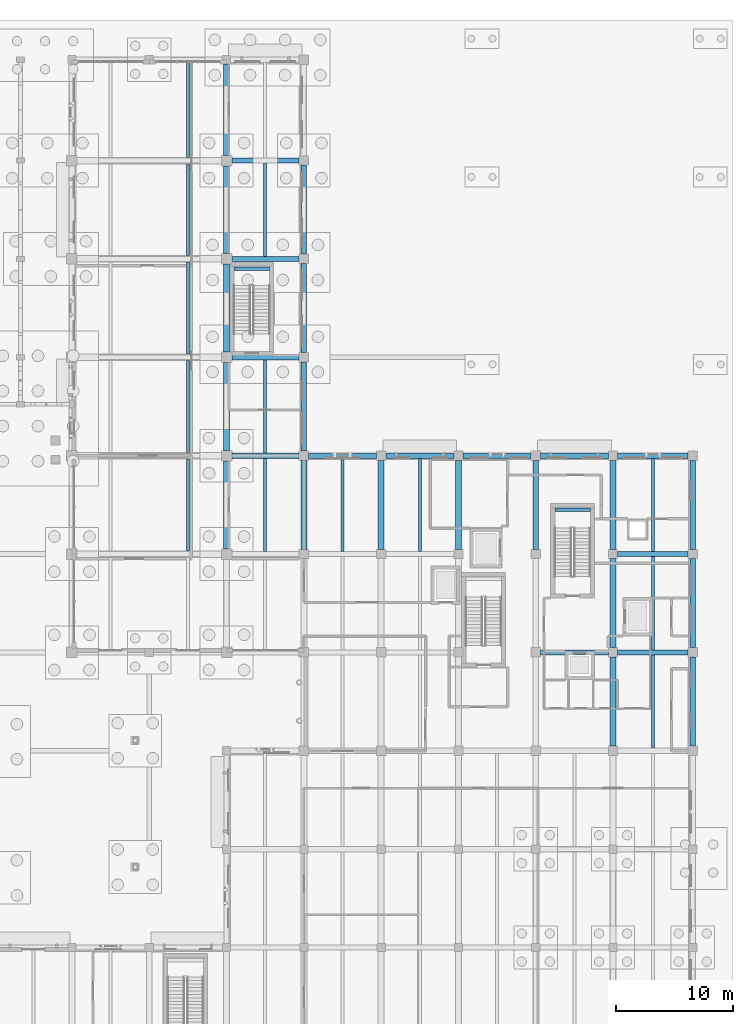
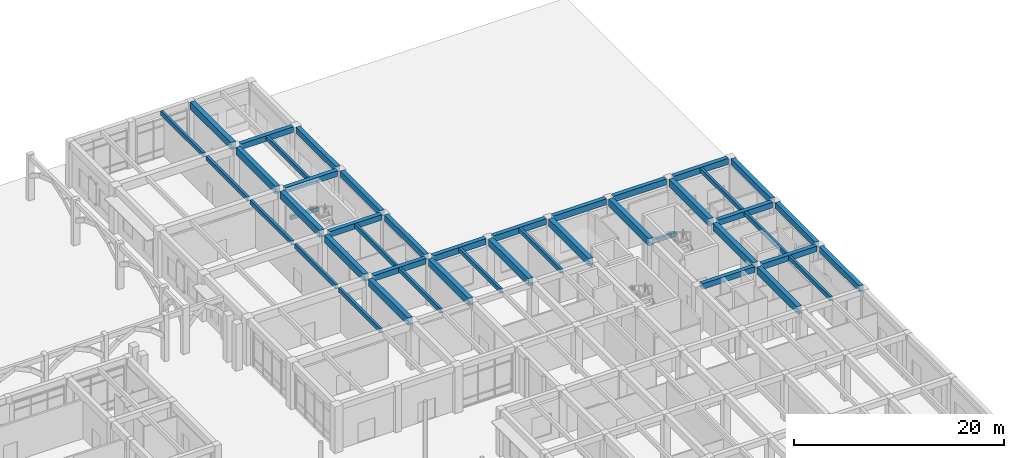
# One storey, part 38 of 82: 45 beams.
"""IFC4 building model written with IfcOpenShell, lengths in metres."""

from ifc_helpers import new_model, si_unit, direction, frame, origin, origin_2d, place, context, subcontext, project, spatial, rectangle, extrude, material, material_profile, profile_set, type_object, element, save


model = new_model("IFC4")

# Units and contexts
model_context = context("Model", 3, precision=1e-05, world=origin(), true_north=direction((0.0, 1.0)))
body_context = subcontext(model_context, "Body", "Model", "MODEL_VIEW")
ifc_project = project(units=[si_unit("LENGTHUNIT", "METRE"), si_unit("AREAUNIT", "SQUARE_METRE"), si_unit("VOLUMEUNIT", "CUBIC_METRE"), si_unit("PLANEANGLEUNIT", "RADIAN"), si_unit("MASSUNIT", "GRAM", prefix="KILO")], contexts=[model_context])

# Site, building, storey
site_placement = place(None, origin())
site = spatial("IfcSite", under=ifc_project, at=site_placement, CompositionType="ELEMENT")
building_placement = place(site_placement, origin())
building = spatial("IfcBuilding", under=site, at=building_placement, Name="Kolvaren Faculty of Natural Sciences", CompositionType="ELEMENT")
storey_placement = place(building_placement, origin())
storey = spatial("IfcBuildingStorey", under=building, at=storey_placement, Name="L00", CompositionType="ELEMENT", Elevation=0.0)

# Beams
ifc_material_1 = material(Name="Concrete C40/50", Category="concrete")
ifc_material_profile_1 = material_profile(ifc_material_1, rectangle(XDim=0.300048828125, YDim=0.449951171875, at=origin_2d()), Name="RC LNT 300x450")
ifc_profile_set_1 = profile_set([ifc_material_profile_1], Name="Concrete C40/50")
beam_type_1 = type_object("IfcBeamType", Name="CoreCouplingLintel_300x450", PredefinedType="LINTEL", material=ifc_profile_set_1)
beam_1_placement = place(storey_placement, frame((160.22509765625, 79.580078125, 2.27490234375), z_axis=(1.0, 0.0, 0.0), x_axis=(0.0, 1.0, 0.0)))
element("IfcBeam", 1, at=beam_1_placement, inside=storey, type_object=beam_type_1, Name="L00 ST-1 half-landing support lintel", PredefinedType="LINTEL", context=body_context, shape_type="SweptSolid", body=[
    extrude(rectangle(XDim=0.300048828125, YDim=0.449951171875, at=origin_2d()), origin(), (0.0, 0.0, 1.0), 3.0498046875),
])
beam_2_placement = place(storey_placement, frame((132.824951171875, 100.179931640625, 2.27490234375), z_axis=(1.0, 0.0, 0.0), x_axis=(0.0, 1.0, 0.0)))
element("IfcBeam", 2, at=beam_2_placement, inside=storey, type_object=beam_type_1, Name="L00 ST-7 half-landing support lintel", PredefinedType="LINTEL", context=body_context, shape_type="SweptSolid", body=[
    extrude(rectangle(XDim=0.300048828125, YDim=0.449951171875, at=origin_2d()), origin(), (0.0, 0.0, 1.0), 3.050048828125),
])
ifc_material_2 = material(Name="Concrete C35/45", Category="concrete")
ifc_material_profile_2 = material_profile(ifc_material_2, rectangle(XDim=0.449951171875, YDim=0.64990234375, at=origin_2d()), Name="RC BM 450x650")
ifc_profile_set_2 = profile_set([ifc_material_profile_2], Name="Concrete C35/45")
beam_type_2 = type_object("IfcBeamType", Name="GridBeam_450x650", PredefinedType="BEAM", material=ifc_profile_set_2)
beam_3_placement = place(storey_placement, frame((159.0, 67.39990234375, 5.074951171875), z_axis=(1.0, 0.0, 0.0), x_axis=(0.0, 1.0, 0.0)))
element("IfcBeam", 3, at=beam_3_placement, inside=storey, type_object=beam_type_2, Name="L00 beam BM-65 on grid J", PredefinedType="BEAM", context=body_context, shape_type="SweptSolid", body=[
    extrude(rectangle(XDim=0.449951171875, YDim=0.64990234375, at=origin_2d()), origin(), (0.0, 0.0, 1.0), 5.800048828125),
])
for number, where, z_axis, x_axis, name in (
    (4, (165.60009765625, 67.39990234375, 5.074951171875), (1.0, 0.0, 0.0), (0.0, 1.0, 0.0), "L00 beam BM-65 on grid J"),
    (5, (165.60009765625, 75.800048828125, 5.074951171875), (1.0, 0.0, 0.0), (0.0, 1.0, 0.0), "L00 beam BM-65 on grid K"),
):
    element("IfcBeam", number, at=place(storey_placement, frame(where, z_axis=z_axis, x_axis=x_axis)), inside=storey, type_object=beam_type_2, Name=name, PredefinedType="BEAM", context=body_context, shape_type="SweptSolid", body=[
        extrude(rectangle(XDim=0.449951171875, YDim=0.64990234375, at=origin_2d()), origin(), (0.0, 0.0, 1.0), 6.0),
    ])
for number, where, z_axis, x_axis, name in (
    (6, (132.64990234375, 84.199951171875, 5.074951171875), (1.0, 0.0, 0.0), (0.0, 1.0, 0.0), "L00 beam BM-65 on grid L"),
    (7, (132.64990234375, 92.60009765625, 5.074951171875), (1.0, 0.0, 0.0), (0.0, 1.0, 0.0), "L00 beam BM-65 on grid M"),
    (8, (132.64990234375, 101.0, 5.074951171875), (1.0, 0.0, 0.0), (0.0, 1.0, 0.0), "L00 beam BM-65 on grid N"),
    (9, (132.64990234375, 109.39990234375, 5.074951171875), (1.0, 0.0, 0.0), (0.0, 1.0, 0.0), "L00 beam BM-65 on grid P"),
):
    element("IfcBeam", number, at=place(storey_placement, frame(where, z_axis=z_axis, x_axis=x_axis)), inside=storey, type_object=beam_type_2, Name=name, PredefinedType="BEAM", context=body_context, shape_type="SweptSolid", body=[
        extrude(rectangle(XDim=0.449951171875, YDim=0.64990234375, at=origin_2d()), origin(), (0.0, 0.0, 1.0), 5.75),
    ])
ifc_material_profile_3 = material_profile(ifc_material_2, rectangle(XDim=0.260009765625, YDim=0.5, at=origin_2d()), Name="RC JST 260x500")
ifc_profile_set_3 = profile_set([ifc_material_profile_3], Name="Concrete C35/45")
beam_type_3 = type_object("IfcBeamType", Name="LabRibJoist_260x500", PredefinedType="JOIST", material=ifc_profile_set_3)
beam_4_placement = place(storey_placement, frame((128.89990234375, 76.074951171875, 5.14990234375), z_axis=(0.0, 1.0, 0.0), x_axis=(-1.0, 0.0, 0.0)))
element("IfcBeam", 10, at=beam_4_placement, inside=storey, type_object=beam_type_3, Name="L00 ribbed laboratory slab joist JS-50", PredefinedType="JOIST", context=body_context, shape_type="SweptSolid", body=[
    extrude(rectangle(XDim=0.260009765625, YDim=0.5, at=origin_2d()), origin(), (0.0, 0.0, 1.0), 7.85009765625),
])
beam_5_placement = place(storey_placement, frame((128.89990234375, 84.47509765625, 5.14990234375), z_axis=(0.0, 1.0, 0.0), x_axis=(-1.0, 0.0, 0.0)))
element("IfcBeam", 11, at=beam_5_placement, inside=storey, type_object=beam_type_3, Name="L00 ribbed laboratory slab joist JS-50", PredefinedType="JOIST", context=body_context, shape_type="SweptSolid", body=[
    extrude(rectangle(XDim=0.260009765625, YDim=0.5, at=origin_2d()), origin(), (0.0, 0.0, 1.0), 7.849853515625),
])
for number, where, z_axis, x_axis, name in (
    (12, (128.89990234375, 92.875, 5.14990234375), (0.0, 1.0, 0.0), (-1.0, 0.0, 0.0), "L00 ribbed laboratory slab joist JS-50"),
    (13, (128.89990234375, 101.27490234375, 5.14990234375), (0.0, 1.0, 0.0), (-1.0, 0.0, 0.0), "L00 ribbed laboratory slab joist JS-50"),
):
    element("IfcBeam", number, at=place(storey_placement, frame(where, z_axis=z_axis, x_axis=x_axis)), inside=storey, type_object=beam_type_3, Name=name, PredefinedType="JOIST", context=body_context, shape_type="SweptSolid", body=[
        extrude(rectangle(XDim=0.260009765625, YDim=0.5, at=origin_2d()), origin(), (0.0, 0.0, 1.0), 7.85009765625),
    ])
beam_6_placement = place(storey_placement, frame((128.89990234375, 109.675048828125, 5.14990234375), z_axis=(0.0, 1.0, 0.0), x_axis=(-1.0, 0.0, 0.0)))
element("IfcBeam", 14, at=beam_6_placement, inside=storey, type_object=beam_type_3, Name="L00 ribbed laboratory slab joist JS-50", PredefinedType="JOIST", context=body_context, shape_type="SweptSolid", body=[
    extrude(rectangle(XDim=0.260009765625, YDim=0.5, at=origin_2d()), origin(), (0.0, 0.0, 1.0), 8.099853515625),
])
beam_7_placement = place(storey_placement, frame((135.5, 76.02490234375, 5.14990234375), z_axis=(0.0, 1.0, 0.0), x_axis=(-1.0, 0.0, 0.0)))
element("IfcBeam", 15, at=beam_7_placement, inside=storey, type_object=beam_type_3, Name="L00 ribbed laboratory slab joist JS-50", PredefinedType="JOIST", context=body_context, shape_type="SweptSolid", body=[
    extrude(rectangle(XDim=0.260009765625, YDim=0.5, at=origin_2d()), origin(), (0.0, 0.0, 1.0), 7.9501953125),
])
for number, where, z_axis, x_axis, name in (
    (16, (135.5, 84.425048828125, 5.14990234375), (0.0, 1.0, 0.0), (-1.0, 0.0, 0.0), "L00 ribbed laboratory slab joist JS-50"),
    (17, (135.5, 101.22509765625, 5.14990234375), (0.0, 1.0, 0.0), (-1.0, 0.0, 0.0), "L00 ribbed laboratory slab joist JS-50"),
):
    element("IfcBeam", number, at=place(storey_placement, frame(where, z_axis=z_axis, x_axis=x_axis)), inside=storey, type_object=beam_type_3, Name=name, PredefinedType="JOIST", context=body_context, shape_type="SweptSolid", body=[
        extrude(rectangle(XDim=0.260009765625, YDim=0.5, at=origin_2d()), origin(), (0.0, 0.0, 1.0), 7.949951171875),
    ])
for number, where, z_axis, x_axis, name in (
    (18, (142.10009765625, 76.02490234375, 5.14990234375), (0.0, 1.0, 0.0), (-1.0, 0.0, 0.0), "L00 ribbed laboratory slab joist JS-50"),
    (19, (148.699951171875, 76.02490234375, 5.14990234375), (0.0, 1.0, 0.0), (-1.0, 0.0, 0.0), "L00 ribbed laboratory slab joist JS-50"),
):
    element("IfcBeam", number, at=place(storey_placement, frame(where, z_axis=z_axis, x_axis=x_axis)), inside=storey, type_object=beam_type_3, Name=name, PredefinedType="JOIST", context=body_context, shape_type="SweptSolid", body=[
        extrude(rectangle(XDim=0.260009765625, YDim=0.5, at=origin_2d()), origin(), (0.0, 0.0, 1.0), 7.9501953125),
    ])
for number, where, z_axis, x_axis, name in (
    (20, (168.60009765625, 59.22509765625, 5.14990234375), (0.0, 1.0, 0.0), (-1.0, 0.0, 0.0), "L00 ribbed laboratory slab joist JS-50"),
    (21, (168.60009765625, 67.625, 5.14990234375), (0.0, 1.0, 0.0), (-1.0, 0.0, 0.0), "L00 ribbed laboratory slab joist JS-50"),
):
    element("IfcBeam", number, at=place(storey_placement, frame(where, z_axis=z_axis, x_axis=x_axis)), inside=storey, type_object=beam_type_3, Name=name, PredefinedType="JOIST", context=body_context, shape_type="SweptSolid", body=[
        extrude(rectangle(XDim=0.260009765625, YDim=0.5, at=origin_2d()), origin(), (0.0, 0.0, 1.0), 7.949951171875),
    ])
beam_8_placement = place(storey_placement, frame((168.60009765625, 76.02490234375, 5.14990234375), z_axis=(0.0, 1.0, 0.0), x_axis=(-1.0, 0.0, 0.0)))
element("IfcBeam", 22, at=beam_8_placement, inside=storey, type_object=beam_type_3, Name="L00 ribbed laboratory slab joist JS-50", PredefinedType="JOIST", context=body_context, shape_type="SweptSolid", body=[
    extrude(rectangle(XDim=0.260009765625, YDim=0.5, at=origin_2d()), origin(), (0.0, 0.0, 1.0), 7.9501953125),
])
ifc_material_profile_4 = material_profile(ifc_material_2, rectangle(XDim=0.449951171875, YDim=0.699951171875, at=origin_2d()), Name="RC SP 450x700")
ifc_profile_set_4 = profile_set([ifc_material_profile_4], Name="Concrete C35/45")
beam_type_4 = type_object("IfcBeamType", Name="PerimeterSpandrel_450x700", PredefinedType="SPANDREL", material=ifc_profile_set_4)
for number, where, z_axis, x_axis, name in (
    (23, (139.199951171875, 84.199951171875, 5.050048828125), (1.0, 0.0, 0.0), (0.0, 1.0, 0.0), "L00 spandrel SP-70 on grid L"),
    (24, (145.800048828125, 84.199951171875, 5.050048828125), (1.0, 0.0, 0.0), (0.0, 1.0, 0.0), "L00 spandrel SP-70 on grid L"),
    (25, (152.39990234375, 84.199951171875, 5.050048828125), (1.0, 0.0, 0.0), (0.0, 1.0, 0.0), "L00 spandrel SP-70 on grid L"),
    (26, (159.0, 84.199951171875, 5.050048828125), (1.0, 0.0, 0.0), (0.0, 1.0, 0.0), "L00 spandrel SP-70 on grid L"),
):
    element("IfcBeam", number, at=place(storey_placement, frame(where, z_axis=z_axis, x_axis=x_axis)), inside=storey, type_object=beam_type_4, Name=name, PredefinedType="SPANDREL", context=body_context, shape_type="SweptSolid", body=[
        extrude(rectangle(XDim=0.449951171875, YDim=0.699951171875, at=origin_2d()), origin(), (0.0, 0.0, 1.0), 5.800048828125),
    ])
beam_9_placement = place(storey_placement, frame((165.60009765625, 84.199951171875, 5.050048828125), z_axis=(1.0, 0.0, 0.0), x_axis=(0.0, 1.0, 0.0)))
element("IfcBeam", 27, at=beam_9_placement, inside=storey, type_object=beam_type_4, Name="L00 spandrel SP-70 on grid L", PredefinedType="SPANDREL", context=body_context, shape_type="SweptSolid", body=[
    extrude(rectangle(XDim=0.449951171875, YDim=0.699951171875, at=origin_2d()), origin(), (0.0, 0.0, 1.0), 6.0),
])
beam_10_placement = place(storey_placement, frame((138.800048828125, 84.60009765625, 5.050048828125), z_axis=(0.0, 1.0, 0.0), x_axis=(-1.0, 0.0, 0.0)))
element("IfcBeam", 28, at=beam_10_placement, inside=storey, type_object=beam_type_4, Name="L00 girder SP-70 on grid 22", PredefinedType="SPANDREL", context=body_context, shape_type="SweptSolid", body=[
    extrude(rectangle(XDim=0.449951171875, YDim=0.699951171875, at=origin_2d()), origin(), (0.0, 0.0, 1.0), 7.599853515625),
])
for number, where, z_axis, x_axis, name in (
    (29, (138.800048828125, 93.0, 5.050048828125), (0.0, 1.0, 0.0), (-1.0, 0.0, 0.0), "L00 girder SP-70 on grid 22"),
    (30, (138.800048828125, 101.39990234375, 5.050048828125), (0.0, 1.0, 0.0), (-1.0, 0.0, 0.0), "L00 girder SP-70 on grid 22"),
    (31, (172.0, 59.39990234375, 5.050048828125), (0.0, 1.0, 0.0), (-1.0, 0.0, 0.0), "L00 girder SP-70 on grid 27"),
):
    element("IfcBeam", number, at=place(storey_placement, frame(where, z_axis=z_axis, x_axis=x_axis)), inside=storey, type_object=beam_type_4, Name=name, PredefinedType="SPANDREL", context=body_context, shape_type="SweptSolid", body=[
        extrude(rectangle(XDim=0.449951171875, YDim=0.699951171875, at=origin_2d()), origin(), (0.0, 0.0, 1.0), 7.60009765625),
    ])
beam_11_placement = place(storey_placement, frame((172.0, 67.800048828125, 5.050048828125), z_axis=(0.0, 1.0, 0.0), x_axis=(-1.0, 0.0, 0.0)))
element("IfcBeam", 32, at=beam_11_placement, inside=storey, type_object=beam_type_4, Name="L00 girder SP-70 on grid 27", PredefinedType="SPANDREL", context=body_context, shape_type="SweptSolid", body=[
    extrude(rectangle(XDim=0.449951171875, YDim=0.699951171875, at=origin_2d()), origin(), (0.0, 0.0, 1.0), 7.599853515625),
])
beam_12_placement = place(storey_placement, frame((172.0, 76.199951171875, 5.050048828125), z_axis=(0.0, 1.0, 0.0), x_axis=(-1.0, 0.0, 0.0)))
element("IfcBeam", 33, at=beam_12_placement, inside=storey, type_object=beam_type_4, Name="L00 girder SP-70 on grid 27", PredefinedType="SPANDREL", context=body_context, shape_type="SweptSolid", body=[
    extrude(rectangle(XDim=0.449951171875, YDim=0.699951171875, at=origin_2d()), origin(), (0.0, 0.0, 1.0), 7.60009765625),
])
ifc_material_profile_5 = material_profile(ifc_material_2, rectangle(XDim=0.5, YDim=0.85009765625, at=origin_2d()), Name="RC BM 500x850")
ifc_profile_set_5 = profile_set([ifc_material_profile_5], Name="Concrete C35/45")
beam_type_5 = type_object("IfcBeamType", Name="PrimaryGirder_500x850", PredefinedType="BEAM", material=ifc_profile_set_5)
for number, where, z_axis, x_axis, name in (
    (34, (132.199951171875, 76.25, 4.97509765625), (0.0, 1.0, 0.0), (-1.0, 0.0, 0.0), "L00 girder BG-85 on grid 21"),
    (35, (132.199951171875, 84.64990234375, 4.97509765625), (0.0, 1.0, 0.0), (-1.0, 0.0, 0.0), "L00 girder BG-85 on grid 21"),
    (36, (132.199951171875, 93.050048828125, 4.97509765625), (0.0, 1.0, 0.0), (-1.0, 0.0, 0.0), "L00 girder BG-85 on grid 21"),
    (37, (132.199951171875, 101.449951171875, 4.97509765625), (0.0, 1.0, 0.0), (-1.0, 0.0, 0.0), "L00 girder BG-85 on grid 21"),
):
    element("IfcBeam", number, at=place(storey_placement, frame(where, z_axis=z_axis, x_axis=x_axis)), inside=storey, type_object=beam_type_5, Name=name, PredefinedType="BEAM", context=body_context, shape_type="SweptSolid", body=[
        extrude(rectangle(XDim=0.5, YDim=0.85009765625, at=origin_2d()), origin(), (0.0, 0.0, 1.0), 7.5),
    ])
beam_13_placement = place(storey_placement, frame((132.199951171875, 109.85009765625, 4.97509765625), z_axis=(0.0, 1.0, 0.0), x_axis=(-1.0, 0.0, 0.0)))
element("IfcBeam", 38, at=beam_13_placement, inside=storey, type_object=beam_type_5, Name="L00 girder BG-85 on grid 21", PredefinedType="BEAM", context=body_context, shape_type="SweptSolid", body=[
    extrude(rectangle(XDim=0.5, YDim=0.85009765625, at=origin_2d()), origin(), (0.0, 0.0, 1.0), 7.7998046875),
])
for number, where, z_axis, x_axis, name in (
    (39, (138.800048828125, 76.199951171875, 4.97509765625), (0.0, 1.0, 0.0), (-1.0, 0.0, 0.0), "L00 girder BG-85 on grid 22"),
    (40, (145.39990234375, 76.199951171875, 4.97509765625), (0.0, 1.0, 0.0), (-1.0, 0.0, 0.0), "L00 girder BG-85 on grid 23"),
    (41, (152.0, 76.199951171875, 4.97509765625), (0.0, 1.0, 0.0), (-1.0, 0.0, 0.0), "L00 girder BG-85 on grid 24"),
    (42, (158.60009765625, 76.199951171875, 4.97509765625), (0.0, 1.0, 0.0), (-1.0, 0.0, 0.0), "L00 girder BG-85 on grid 25"),
    (43, (165.199951171875, 59.39990234375, 4.97509765625), (0.0, 1.0, 0.0), (-1.0, 0.0, 0.0), "L00 girder BG-85 on grid 26"),
):
    element("IfcBeam", number, at=place(storey_placement, frame(where, z_axis=z_axis, x_axis=x_axis)), inside=storey, type_object=beam_type_5, Name=name, PredefinedType="BEAM", context=body_context, shape_type="SweptSolid", body=[
        extrude(rectangle(XDim=0.5, YDim=0.85009765625, at=origin_2d()), origin(), (0.0, 0.0, 1.0), 7.60009765625),
    ])
beam_14_placement = place(storey_placement, frame((165.199951171875, 67.800048828125, 4.97509765625), z_axis=(0.0, 1.0, 0.0), x_axis=(-1.0, 0.0, 0.0)))
element("IfcBeam", 44, at=beam_14_placement, inside=storey, type_object=beam_type_5, Name="L00 girder BG-85 on grid 26", PredefinedType="BEAM", context=body_context, shape_type="SweptSolid", body=[
    extrude(rectangle(XDim=0.5, YDim=0.85009765625, at=origin_2d()), origin(), (0.0, 0.0, 1.0), 7.599853515625),
])
beam_15_placement = place(storey_placement, frame((165.199951171875, 76.199951171875, 4.97509765625), z_axis=(0.0, 1.0, 0.0), x_axis=(-1.0, 0.0, 0.0)))
element("IfcBeam", 45, at=beam_15_placement, inside=storey, type_object=beam_type_5, Name="L00 girder BG-85 on grid 26", PredefinedType="BEAM", context=body_context, shape_type="SweptSolid", body=[
    extrude(rectangle(XDim=0.5, YDim=0.85009765625, at=origin_2d()), origin(), (0.0, 0.0, 1.0), 7.60009765625),
])

save(model, "model.ifc")
